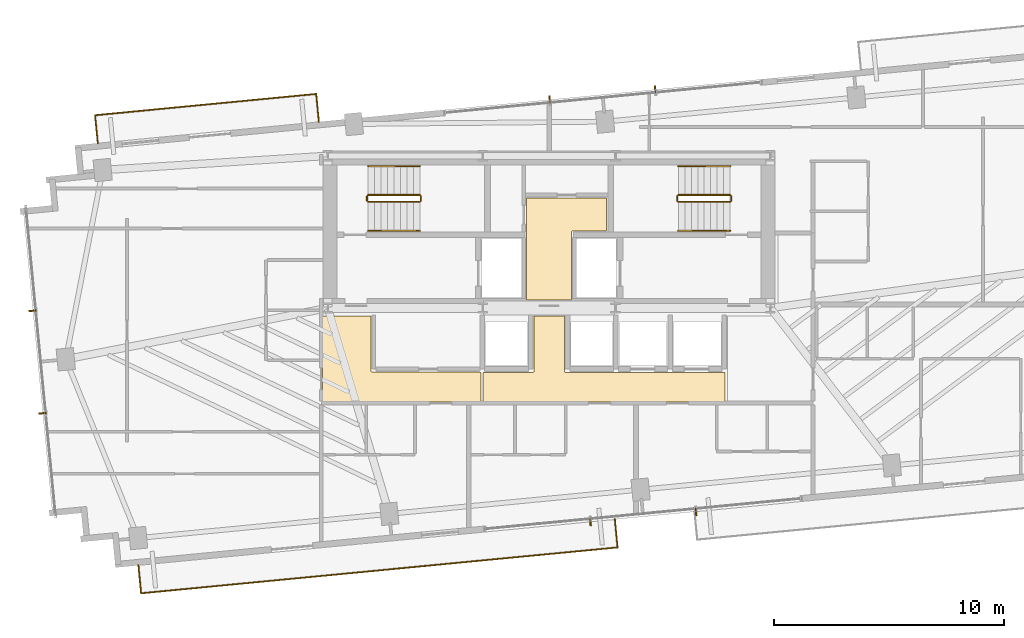
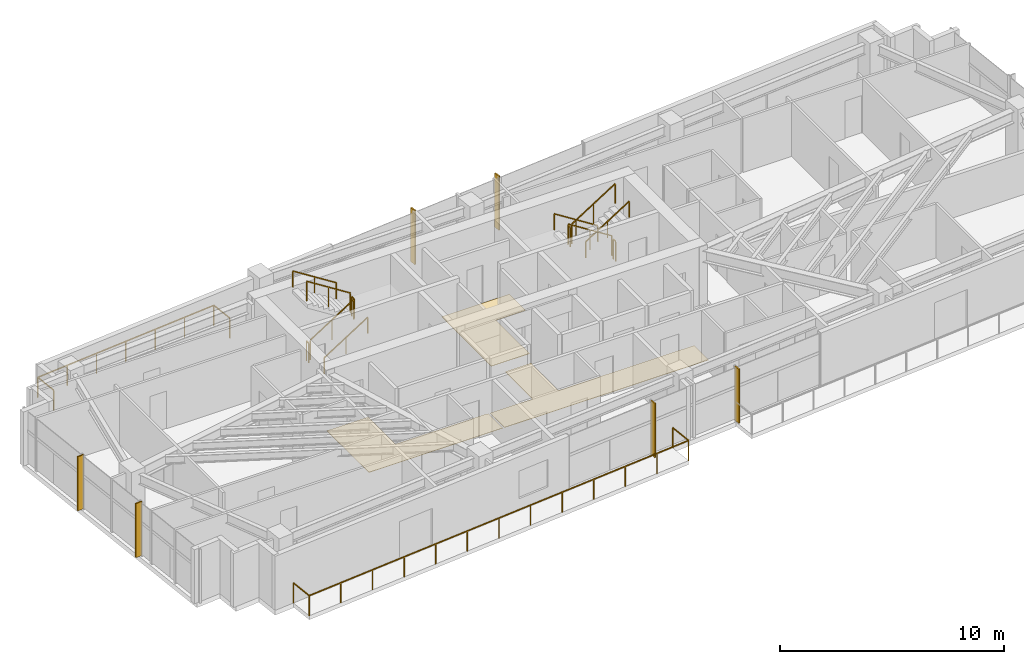
# One storey, part 17 of 18: 14 railings, 6 shading devices, 3 coverings.
"""IFC4 building model written with IfcOpenShell, lengths in metres."""

from ifc_helpers import new_model, si_unit, direction, frame, origin, origin_2d, place, context, subcontext, project, spatial, polyline, rectangle, outline, extrude, source, transform, mapped, material, layer, layer_set, type_object, type_shapes, element, save


model = new_model("IFC4")

# Units and contexts
model_context = context("Model", 3, precision=1e-05, world=origin(), true_north=direction((0.0, 1.0)))
body_context = subcontext(model_context, "Body", "Model", "MODEL_VIEW")
ifc_project = project(units=[si_unit("LENGTHUNIT", "METRE"), si_unit("AREAUNIT", "SQUARE_METRE"), si_unit("VOLUMEUNIT", "CUBIC_METRE"), si_unit("PLANEANGLEUNIT", "RADIAN"), si_unit("MASSUNIT", "GRAM", prefix="KILO")], contexts=[model_context])

# Site, building, storey
site_placement = place(None, origin())
site = spatial("IfcSite", under=ifc_project, at=site_placement, CompositionType="ELEMENT")
building_placement = place(site_placement, origin())
building = spatial("IfcBuilding", under=site, at=building_placement, Name="Astriad Promenade Condominiums", CompositionType="ELEMENT")
storey_placement = place(building_placement, frame((0.0, 0.0, 185.800048828125)))
storey = spatial("IfcBuildingStorey", under=building, at=storey_placement, Name="L53", CompositionType="ELEMENT", Elevation=185.800048828125)

# Coverings
ifc_material_1 = material(Name="Polished Lakefront Terrazzo Flooring")
ifc_layer = layer(ifc_material_1, 0.02001953125)
ifc_layer_set = layer_set([ifc_layer], Name="Polished Lakefront Terrazzo Flooring")
covering_type = type_object("IfcCoveringType", Name="COV-FLOR-TERRAZZO-20", PredefinedType="FLOORING", material=ifc_layer_set)
covering_1_placement = place(storey_placement, origin())
element("IfcCovering", 1, at=covering_1_placement, inside=storey, type_object=covering_type, Name="FLR-L53-CSL", PredefinedType="FLOORING", context=body_context, shape_type="SweptSolid", body=[
    extrude(outline(polyline([(36.97998046875, 20.699951171875), (36.97998046875, 17.739990234375), (35.02001953125, 17.739990234375), (35.02001953125, 22.179931640625), (38.5, 22.179931640625), (38.5, 20.739990234375), (37.02001953125, 20.739990234375), (37.01611328125, 20.73974609375), (37.01220703125, 20.7392578125), (37.00830078125, 20.73828125), (37.004638671875, 20.737060546875), (37.001220703125, 20.7353515625), (36.997802734375, 20.7333984375), (36.99462890625, 20.73095703125), (36.99169921875, 20.728271484375), (36.989013671875, 20.725341796875), (36.98681640625, 20.72216796875), (36.984619140625, 20.718994140625), (36.98291015625, 20.71533203125), (36.981689453125, 20.711669921875), (36.980712890625, 20.707763671875), (36.980224609375, 20.703857421875), (36.97998046875, 20.699951171875)])), origin(), (0.0, 0.0, 1.0), 0.02001953125),
])
covering_2_placement = place(storey_placement, origin())
element("IfcCovering", 2, at=covering_2_placement, inside=storey, type_object=covering_type, Name="FLR-L53-LLB", PredefinedType="FLOORING", context=body_context, shape_type="SweptSolid", body=[
    extrude(outline(polyline([(43.639892578125, 14.610107421875), (43.639892578125, 13.320068359375), (33.139892578125, 13.320068359375), (33.139892578125, 14.610107421875), (35.300048828125, 14.610107421875), (35.303955078125, 14.610107421875), (35.307861328125, 14.61083984375), (35.3115234375, 14.61181640625), (35.315185546875, 14.613037109375), (35.31884765625, 14.61474609375), (35.322265625, 14.61669921875), (35.325439453125, 14.619140625), (35.328369140625, 14.62158203125), (35.330810546875, 14.62451171875), (35.333251953125, 14.627685546875), (35.335205078125, 14.631103515625), (35.3369140625, 14.634765625), (35.33837890625, 14.638427734375), (35.339111328125, 14.64208984375), (35.33984375, 14.64599609375), (35.340087890625, 14.64990234375), (35.340087890625, 17.06005859375), (36.659912109375, 17.06005859375), (36.659912109375, 14.64990234375), (36.66015625, 14.64599609375), (36.660888671875, 14.64208984375), (36.66162109375, 14.638427734375), (36.6630859375, 14.634765625), (36.664794921875, 14.631103515625), (36.666748046875, 14.627685546875), (36.669189453125, 14.62451171875), (36.671630859375, 14.62158203125), (36.674560546875, 14.619140625), (36.677734375, 14.61669921875), (36.68115234375, 14.61474609375), (36.684814453125, 14.613037109375), (36.6884765625, 14.61181640625), (36.692138671875, 14.61083984375), (36.696044921875, 14.610107421875), (36.699951171875, 14.610107421875), (43.639892578125, 14.610107421875)])), origin(), (0.0, 0.0, 1.0), 0.02001953125),
])
covering_3_placement = place(storey_placement, origin())
element("IfcCovering", 3, at=covering_3_placement, inside=storey, type_object=covering_type, Name="FLR-L53-COR-1", PredefinedType="FLOORING", context=body_context, shape_type="SweptSolid", body=[
    extrude(outline(polyline([(26.159912109375, 13.320068359375), (26.159912109375, 17.06005859375), (28.280029296875, 17.06005859375), (28.280029296875, 14.669921875), (28.2802734375, 14.666015625), (28.28076171875, 14.662109375), (28.28173828125, 14.658447265625), (28.282958984375, 14.65478515625), (28.28466796875, 14.651123046875), (28.28662109375, 14.647705078125), (28.2890625, 14.64453125), (28.291748046875, 14.6416015625), (28.294677734375, 14.63916015625), (28.2978515625, 14.63671875), (28.301025390625, 14.634765625), (28.3046875, 14.633056640625), (28.308349609375, 14.631591796875), (28.312255859375, 14.630859375), (28.316162109375, 14.630126953125), (28.320068359375, 14.6298828125), (32.96533203125, 14.6298828125), (32.966796875, 14.627685546875), (32.968994140625, 14.62451171875), (32.9716796875, 14.62158203125), (32.974609375, 14.619140625), (32.977783203125, 14.61669921875), (32.981201171875, 14.61474609375), (32.984619140625, 14.613037109375), (32.98828125, 14.61181640625), (32.9921875, 14.61083984375), (32.99609375, 14.610107421875), (33.0, 14.610107421875), (33.050048828125, 14.610107421875), (33.050048828125, 13.320068359375), (26.159912109375, 13.320068359375)])), origin(), (0.0, 0.0, 1.0), 0.02001953125),
])

# Shading devices
ifc_material_2 = material(Name="Anodised aluminium 6063-T6 Black Fin", Category="aluminium")
shading_device_type = type_object("IfcShadingDeviceType", Name="FIN-BLACK-260", PredefinedType="USERDEFINED", material=ifc_material_2)
shared_shape_1 = source(origin(), body_context, "Body", "SweptSolid", [
    extrude(rectangle(XDim=0.06494140625, YDim=0.320068359375, at=origin_2d()), origin(), (0.0, 0.0, 1.0), 2.93994140625),
])
type_shapes(shading_device_type, [shared_shape_1])
for number, where, z_axis, x_axis, name in (
    (4, (14.021484375, 12.83203125, 0.0), (0.0, 0.0, 1.0), (-0.09584575252, 0.995396198367, 0.0), "CW-L53-W-FIN-01"),
    (5, (13.59326171875, 17.278076171875, 0.0), (0.0, 0.0, 1.0), (-0.09584575252, 0.995396198367, 0.0), "CW-L53-W-FIN-02"),
    (6, (36.02783203125, 26.447265625, 0.0), (0.0, 0.0, 1.0), (0.995396198367, 0.09584575252, 0.0), "CW-L53-N-FIN-01"),
    (7, (40.606689453125, 26.88818359375, 0.0), (0.0, 0.0, 1.0), (0.995396198367, 0.09584575252, 0.0), "CW-L53-N-FIN-02"),
    (8, (42.3720703125, 8.552734375, 0.0), (0.0, 0.0, 1.0), (-0.995396198367, -0.09584575252, 0.0), "CW-L53-S-FIN-01"),
    (9, (37.793212890625, 8.11181640625, 0.0), (0.0, 0.0, 1.0), (-0.995396198367, -0.09584575252, 0.0), "CW-L53-S-FIN-02"),
):
    element("IfcShadingDevice", number, at=place(storey_placement, frame(where, z_axis=z_axis, x_axis=x_axis)), inside=storey, type_object=shading_device_type, Name=name, ObjectType="FIN", PredefinedType="USERDEFINED", context=body_context, shape_type="MappedRepresentation", body=[
        mapped(shared_shape_1, transform((0.0, 0.0, 0.0), scale=1.0)),
    ])

# Railings
ifc_material_3 = material(Name="Laminated Glass and Stainless Steel Balustrade", Category="steel")
railing_type_1 = type_object("IfcRailingType", Name="GRD-BALC-1120", PredefinedType="BALUSTRADE", material=ifc_material_3)
shared_shape_2 = source(origin(), body_context, "Body", "SweptSolid", [
    extrude(rectangle(XDim=0.048095703125, YDim=0.048095703125, at=origin_2d()), frame((0.0, 0.0, 1.09619140625), z_axis=(0.095857307208, -0.99539508571, 0.0), x_axis=(0.99539508571, 0.095857307208, 0.0)), (0.0, 0.0, 1.0), 1.219970703125),
    extrude(rectangle(XDim=0.048095703125, YDim=0.048095703125, at=origin_2d()), frame((0.116943359375, -1.21435546875, 1.09619140625), z_axis=(0.995396141375, 0.095846344403, 0.0), x_axis=(-0.095846344403, 0.995396141375, 0.0)), (0.0, 0.0, 1.0), 20.77001953125),
    extrude(rectangle(XDim=0.048095703125, YDim=0.048095703125, at=origin_2d()), frame((20.791259765625, 0.7763671875, 1.09619140625), z_axis=(-0.095857307208, 0.99539508571, 0.0), x_axis=(-0.99539508571, -0.095857307208, 0.0)), (0.0, 0.0, 1.0), 1.219970703125),
    extrude(rectangle(XDim=0.0419921875, YDim=0.0419921875, at=origin_2d()), origin(), (0.0, 0.0, 1.0), 1.072021484375),
    extrude(rectangle(XDim=0.0419921875, YDim=0.0419921875, at=origin_2d()), frame((0.116943359375, -1.21435546875, 0.0)), (0.0, 0.0, 1.0), 1.072021484375),
    extrude(rectangle(XDim=0.0419921875, YDim=0.0419921875, at=origin_2d()), frame((1.83984375, -1.04833984375, 0.0)), (0.0, 0.0, 1.0), 1.072021484375),
    extrude(rectangle(XDim=0.0419921875, YDim=0.0419921875, at=origin_2d()), frame((3.562744140625, -0.882568359375, 0.0)), (0.0, 0.0, 1.0), 1.072021484375),
    extrude(rectangle(XDim=0.0419921875, YDim=0.0419921875, at=origin_2d()), frame((5.28564453125, -0.716796875, 0.0)), (0.0, 0.0, 1.0), 1.072021484375),
    extrude(rectangle(XDim=0.0419921875, YDim=0.0419921875, at=origin_2d()), frame((7.00830078125, -0.55078125, 0.0)), (0.0, 0.0, 1.0), 1.072021484375),
    extrude(rectangle(XDim=0.0419921875, YDim=0.0419921875, at=origin_2d()), frame((8.731201171875, -0.384765625, 0.0)), (0.0, 0.0, 1.0), 1.072021484375),
    extrude(rectangle(XDim=0.0419921875, YDim=0.0419921875, at=origin_2d()), frame((10.4541015625, -0.218994140625, 0.0)), (0.0, 0.0, 1.0), 1.072021484375),
    extrude(rectangle(XDim=0.0419921875, YDim=0.0419921875, at=origin_2d()), frame((12.177001953125, -0.05322265625, 0.0)), (0.0, 0.0, 1.0), 1.072021484375),
    extrude(rectangle(XDim=0.0419921875, YDim=0.0419921875, at=origin_2d()), frame((13.89990234375, 0.11279296875, 0.0)), (0.0, 0.0, 1.0), 1.072021484375),
    extrude(rectangle(XDim=0.0419921875, YDim=0.0419921875, at=origin_2d()), frame((15.62255859375, 0.27880859375, 0.0)), (0.0, 0.0, 1.0), 1.072021484375),
    extrude(rectangle(XDim=0.0419921875, YDim=0.0419921875, at=origin_2d()), frame((17.345458984375, 0.444580078125, 0.0)), (0.0, 0.0, 1.0), 1.072021484375),
    extrude(rectangle(XDim=0.0419921875, YDim=0.0419921875, at=origin_2d()), frame((19.068359375, 0.6103515625, 0.0)), (0.0, 0.0, 1.0), 1.072021484375),
    extrude(rectangle(XDim=0.0419921875, YDim=0.0419921875, at=origin_2d()), frame((20.791259765625, 0.7763671875, 0.0)), (0.0, 0.0, 1.0), 1.072021484375),
    extrude(rectangle(XDim=0.0419921875, YDim=0.0419921875, at=origin_2d()), frame((20.67431640625, 1.99072265625, 0.0)), (0.0, 0.0, 1.0), 1.072021484375),
])
railing_1_placement = place(storey_placement, frame((18.18115234375, 6.233642578125, 0.0)))
element("IfcRailing", 10, at=railing_1_placement, inside=storey, type_object=railing_type_1, Name="GRD-BALC-L53-SW", PredefinedType="BALUSTRADE", context=body_context, shape_type="MappedRepresentation", body=[
    mapped(shared_shape_2, transform((0.0, 0.0, 0.0), scale=1.0)),
])
shared_shape_3 = source(origin(), body_context, "Body", "SweptSolid", [
    extrude(rectangle(XDim=0.048095703125, YDim=0.048095703125, at=origin_2d()), frame((0.0, 0.0, 1.09619140625), z_axis=(-0.0958382164, 0.995396923984, 0.0), x_axis=(-0.995396923984, -0.0958382164, 0.0)), (0.0, 0.0, 1.0), 1.22021484375),
    extrude(rectangle(XDim=0.048095703125, YDim=0.048095703125, at=origin_2d()), frame((-0.116943359375, 1.214599609375, 1.09619140625), z_axis=(-0.995394543631, -0.095862936055, 0.0), x_axis=(0.095862936055, -0.995394543631, 0.0)), (0.0, 0.0, 1.0), 9.64208984375),
    extrude(rectangle(XDim=0.048095703125, YDim=0.048095703125, at=origin_2d()), frame((-9.714599609375, 0.290283203125, 1.09619140625), z_axis=(0.095857307208, -0.99539508571, 0.0), x_axis=(0.99539508571, 0.095857307208, 0.0)), (0.0, 0.0, 1.0), 1.219970703125),
    extrude(rectangle(XDim=0.0419921875, YDim=0.0419921875, at=origin_2d()), origin(), (0.0, 0.0, 1.0), 1.072021484375),
    extrude(rectangle(XDim=0.0419921875, YDim=0.0419921875, at=origin_2d()), frame((-0.116943359375, 1.214599609375, 0.0)), (0.0, 0.0, 1.0), 1.072021484375),
    extrude(rectangle(XDim=0.0419921875, YDim=0.0419921875, at=origin_2d()), frame((-1.716552734375, 1.060546875, 0.0)), (0.0, 0.0, 1.0), 1.072021484375),
    extrude(rectangle(XDim=0.0419921875, YDim=0.0419921875, at=origin_2d()), frame((-3.316162109375, 0.906494140625, 0.0)), (0.0, 0.0, 1.0), 1.072021484375),
    extrude(rectangle(XDim=0.0419921875, YDim=0.0419921875, at=origin_2d()), frame((-4.915771484375, 0.75244140625, 0.0)), (0.0, 0.0, 1.0), 1.072021484375),
    extrude(rectangle(XDim=0.0419921875, YDim=0.0419921875, at=origin_2d()), frame((-6.515380859375, 0.598388671875, 0.0)), (0.0, 0.0, 1.0), 1.072021484375),
    extrude(rectangle(XDim=0.0419921875, YDim=0.0419921875, at=origin_2d()), frame((-8.114990234375, 0.4443359375, 0.0)), (0.0, 0.0, 1.0), 1.072021484375),
    extrude(rectangle(XDim=0.0419921875, YDim=0.0419921875, at=origin_2d()), frame((-9.714599609375, 0.290283203125, 0.0)), (0.0, 0.0, 1.0), 1.072021484375),
    extrude(rectangle(XDim=0.0419921875, YDim=0.0419921875, at=origin_2d()), frame((-9.59765625, -0.924072265625, 0.0)), (0.0, 0.0, 1.0), 1.072021484375),
])
type_shapes(railing_type_1, [shared_shape_2, shared_shape_3])
railing_2_placement = place(storey_placement, frame((26.01513671875, 25.472900390625, 0.0)))
element("IfcRailing", 11, at=railing_2_placement, inside=storey, type_object=railing_type_1, Name="GRD-BALC-L53-NW", PredefinedType="BALUSTRADE", context=body_context, shape_type="MappedRepresentation", body=[
    mapped(shared_shape_3, transform((0.0, 0.0, 0.0), scale=1.0)),
])
ifc_material_4 = material(Name="Painted Galvanised Steel Guardrail", Category="steel")
railing_type_2 = type_object("IfcRailingType", Name="GRD-STAIR-1100", PredefinedType="GUARDRAIL", material=ifc_material_4)
shared_shape_4 = source(origin(), body_context, "Body", "SweptSolid", [
    extrude(rectangle(XDim=0.048095703125, YDim=0.048095703125, at=origin_2d()), frame((0.0, 0.0, 1.076171875), z_axis=(0.0, 1.0, 0.0), x_axis=(-1.0, 0.0, 0.0)), (0.0, 0.0, 1.0), 0.199951171875),
    extrude(rectangle(XDim=0.0419921875, YDim=0.0419921875, at=origin_2d()), origin(), (0.0, 0.0, 1.0), 1.052001953125),
    extrude(rectangle(XDim=0.0419921875, YDim=0.0419921875, at=origin_2d()), frame((0.0, 0.199951171875, 0.0)), (0.0, 0.0, 1.0), 1.052001953125),
])
for number, where, name in (
    (12, (30.43994140625, 22.050048828125, 1.599853515625), "L53 ST-1 stair guard 2"),
    (13, (28.10009765625, 22.050048828125, 0.0), "L53 ST-1 stair guard 4"),
):
    element("IfcRailing", number, at=place(storey_placement, frame(where)), inside=storey, type_object=railing_type_2, Name=name, PredefinedType="GUARDRAIL", context=body_context, shape_type="MappedRepresentation", body=[
        mapped(shared_shape_4, transform((0.0, 0.0, 0.0), scale=1.0)),
    ])
shared_shape_5 = source(origin(), body_context, "Body", "SweptSolid", [
    extrude(rectangle(XDim=0.048095703125, YDim=0.048095703125, at=origin_2d()), frame((0.0, 0.0, 1.076171875), z_axis=(-0.8442293374, 0.0, 0.53598211339), x_axis=(0.0, -1.0, 0.0)), (0.0, 0.0, 1.0), 2.6533203125),
    extrude(rectangle(XDim=0.0419921875, YDim=0.0419921875, at=origin_2d()), origin(), (0.0, 0.0, 1.0), 1.052001953125),
    extrude(rectangle(XDim=0.0419921875, YDim=0.0419921875, at=origin_2d()), frame((-1.1201171875, 0.0, 0.7109375)), (0.0, 0.0, 1.0), 1.052001953125),
    extrude(rectangle(XDim=0.0419921875, YDim=0.0419921875, at=origin_2d()), frame((-2.239990234375, 0.0, 1.422119140625)), (0.0, 0.0, 1.0), 1.052001953125),
])
for number, where, name in (
    (14, (30.389892578125, 22.300048828125, 1.77783203125), "L53 ST-1 stair guard 3"),
    (15, (43.85009765625, 22.300048828125, 0.177734375), "L53 ST-2 stair guard 1"),
):
    element("IfcRailing", number, at=place(storey_placement, frame(where)), inside=storey, type_object=railing_type_2, Name=name, PredefinedType="GUARDRAIL", context=body_context, shape_type="MappedRepresentation", body=[
        mapped(shared_shape_5, transform((0.0, 0.0, 0.0), scale=1.0)),
    ])
ifc_material_5 = material(Name="Brushed Stainless Steel Handrail", Category="steel")
railing_type_3 = type_object("IfcRailingType", Name="HRL-STAIR-920", PredefinedType="HANDRAIL", material=ifc_material_5)
shared_shape_6 = source(origin(), body_context, "Body", "SweptSolid", [
    extrude(rectangle(XDim=0.048095703125, YDim=0.048095703125, at=origin_2d()), frame((0.0, 0.0, 0.8759765625), z_axis=(-0.8442293374, 0.0, 0.53598211339), x_axis=(0.0, -1.0, 0.0)), (0.0, 0.0, 1.0), 2.6533203125),
    extrude(rectangle(XDim=0.0419921875, YDim=0.0419921875, at=origin_2d()), origin(), (0.0, 0.0, 1.0), 0.851806640625),
    extrude(rectangle(XDim=0.0419921875, YDim=0.0419921875, at=origin_2d()), frame((-1.1201171875, 0.0, 0.7109375)), (0.0, 0.0, 1.0), 0.851806640625),
    extrude(rectangle(XDim=0.0419921875, YDim=0.0419921875, at=origin_2d()), frame((-2.239990234375, 0.0, 1.422119140625)), (0.0, 0.0, 1.0), 0.851806640625),
])
for number, where, name in (
    (16, (30.389892578125, 23.550048828125, 1.77783203125), "L53 ST-1 stair handrail 2"),
    (17, (43.85009765625, 23.550048828125, 0.177734375), "L53 ST-2 stair handrail 1"),
):
    element("IfcRailing", number, at=place(storey_placement, frame(where)), inside=storey, type_object=railing_type_3, Name=name, PredefinedType="HANDRAIL", context=body_context, shape_type="MappedRepresentation", body=[
        mapped(shared_shape_6, transform((0.0, 0.0, 0.0), scale=1.0)),
    ])
shared_shape_7 = source(origin(), body_context, "Body", "SweptSolid", [
    extrude(rectangle(XDim=0.048095703125, YDim=0.048095703125, at=origin_2d()), frame((0.0, 0.0, 1.076171875), z_axis=(0.8442293374, 0.0, 0.53598211339), x_axis=(0.0, 1.0, 0.0)), (0.0, 0.0, 1.0), 2.6533203125),
    extrude(rectangle(XDim=0.0419921875, YDim=0.0419921875, at=origin_2d()), origin(), (0.0, 0.0, 1.0), 1.052001953125),
    extrude(rectangle(XDim=0.0419921875, YDim=0.0419921875, at=origin_2d()), frame((1.1201171875, 0.0, 0.7109375)), (0.0, 0.0, 1.0), 1.052001953125),
    extrude(rectangle(XDim=0.0419921875, YDim=0.0419921875, at=origin_2d()), frame((2.239990234375, 0.0, 1.422119140625)), (0.0, 0.0, 1.0), 1.052001953125),
])
for number, where, name in (
    (18, (28.14990234375, 22.0, 0.177734375), "L53 ST-1 stair guard 1"),
    (19, (41.610107421875, 22.0, 1.77783203125), "L53 ST-2 stair guard 3"),
):
    element("IfcRailing", number, at=place(storey_placement, frame(where)), inside=storey, type_object=railing_type_2, Name=name, PredefinedType="GUARDRAIL", context=body_context, shape_type="MappedRepresentation", body=[
        mapped(shared_shape_7, transform((0.0, 0.0, 0.0), scale=1.0)),
    ])
shared_shape_8 = source(origin(), body_context, "Body", "SweptSolid", [
    extrude(rectangle(XDim=0.048095703125, YDim=0.048095703125, at=origin_2d()), frame((0.0, 0.0, 0.8759765625), z_axis=(0.8442293374, 0.0, 0.53598211339), x_axis=(0.0, 1.0, 0.0)), (0.0, 0.0, 1.0), 2.6533203125),
    extrude(rectangle(XDim=0.0419921875, YDim=0.0419921875, at=origin_2d()), origin(), (0.0, 0.0, 1.0), 0.851806640625),
    extrude(rectangle(XDim=0.0419921875, YDim=0.0419921875, at=origin_2d()), frame((1.1201171875, 0.0, 0.7109375)), (0.0, 0.0, 1.0), 0.851806640625),
    extrude(rectangle(XDim=0.0419921875, YDim=0.0419921875, at=origin_2d()), frame((2.239990234375, 0.0, 1.422119140625)), (0.0, 0.0, 1.0), 0.851806640625),
])
type_shapes(railing_type_3, [shared_shape_6, shared_shape_8])
for number, where, name in (
    (20, (28.14990234375, 20.75, 0.177734375), "L53 ST-1 stair handrail 1"),
    (21, (41.610107421875, 20.75, 1.77783203125), "L53 ST-2 stair handrail 2"),
):
    element("IfcRailing", number, at=place(storey_placement, frame(where)), inside=storey, type_object=railing_type_3, Name=name, PredefinedType="HANDRAIL", context=body_context, shape_type="MappedRepresentation", body=[
        mapped(shared_shape_8, transform((0.0, 0.0, 0.0), scale=1.0)),
    ])
shared_shape_9 = source(origin(), body_context, "Body", "SweptSolid", [
    extrude(rectangle(XDim=0.048095703125, YDim=0.048095703125, at=origin_2d()), frame((0.0, 0.0, 1.076171875), z_axis=(0.0, -1.0, 0.0), x_axis=(1.0, 0.0, 0.0)), (0.0, 0.0, 1.0), 0.199951171875),
    extrude(rectangle(XDim=0.0419921875, YDim=0.0419921875, at=origin_2d()), origin(), (0.0, 0.0, 1.0), 1.052001953125),
    extrude(rectangle(XDim=0.0419921875, YDim=0.0419921875, at=origin_2d()), frame((0.0, -0.199951171875, 0.0)), (0.0, 0.0, 1.0), 1.052001953125),
])
type_shapes(railing_type_2, [shared_shape_4, shared_shape_5, shared_shape_7, shared_shape_9])
for number, where, name in (
    (22, (41.56005859375, 22.25, 1.599853515625), "L53 ST-2 stair guard 2"),
    (23, (43.89990234375, 22.25, 0.0), "L53 ST-2 stair guard 4"),
):
    element("IfcRailing", number, at=place(storey_placement, frame(where)), inside=storey, type_object=railing_type_2, Name=name, PredefinedType="GUARDRAIL", context=body_context, shape_type="MappedRepresentation", body=[
        mapped(shared_shape_9, transform((0.0, 0.0, 0.0), scale=1.0)),
    ])

save(model, "model.ifc")
